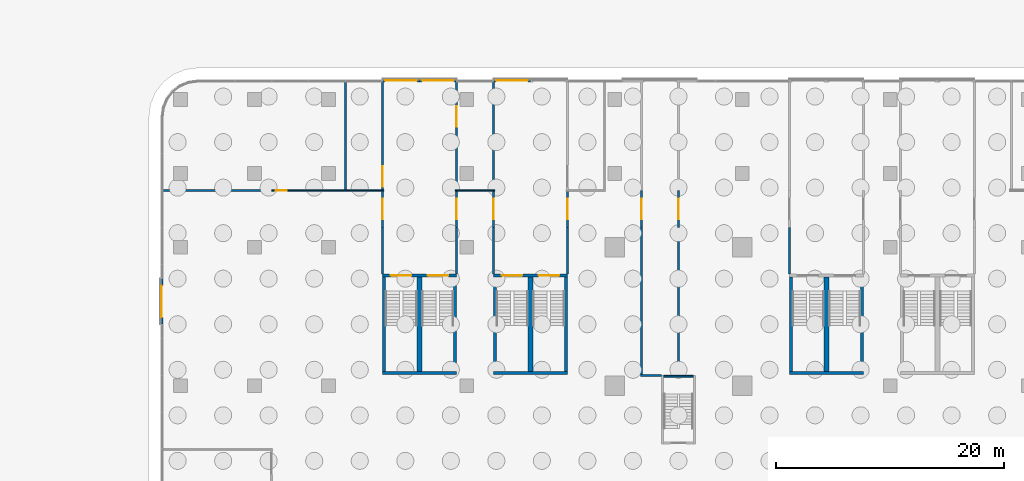
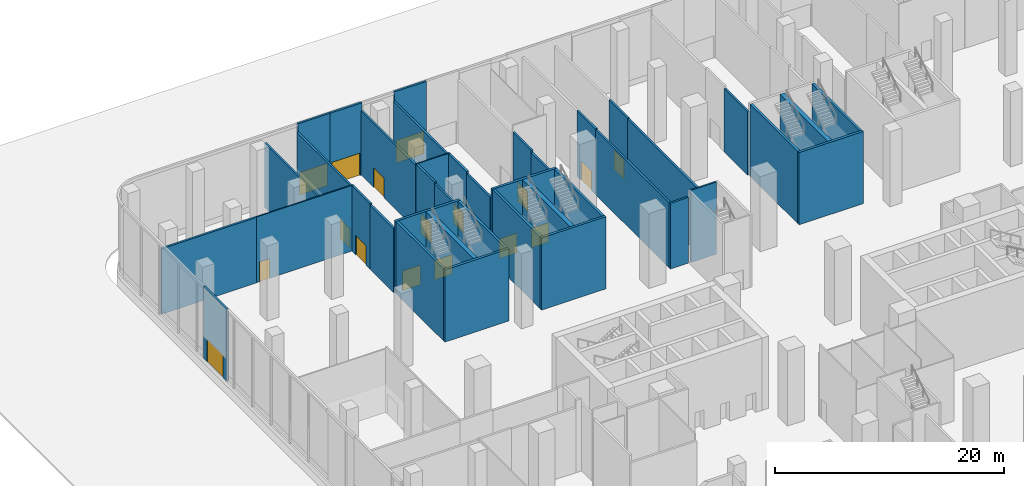
# One storey, part 22 of 27: 40 walls, 17 doors, 17 openings.
"""IFC4 building model written with IfcOpenShell, lengths in metres."""

from ifc_helpers import new_model, si_unit, direction, frame, frame_2d, origin, place, context, subcontext, project, spatial, rectangle, extrude, source, transform, mapped, material, layer, layer_set, type_object, element, fill, save


model = new_model("IFC4")

# Units and contexts
model_context = context("Model", 3, precision=1e-05, world=origin(), true_north=direction((0.0, 1.0)))
body_context = subcontext(model_context, "Body", "Model", "MODEL_VIEW")
ifc_project = project(units=[si_unit("LENGTHUNIT", "METRE"), si_unit("AREAUNIT", "SQUARE_METRE"), si_unit("VOLUMEUNIT", "CUBIC_METRE"), si_unit("PLANEANGLEUNIT", "RADIAN"), si_unit("MASSUNIT", "GRAM", prefix="KILO")], contexts=[model_context])

# Site, building, storey
site_placement = place(None, origin())
site = spatial("IfcSite", under=ifc_project, at=site_placement, CompositionType="ELEMENT")
building_placement = place(site_placement, origin())
building = spatial("IfcBuilding", under=site, at=building_placement, Name="Trellis Farm Tower", CompositionType="ELEMENT")
storey_placement = place(building_placement, origin())
storey = spatial("IfcBuildingStorey", under=building, at=storey_placement, Name="L00", CompositionType="ELEMENT", Elevation=0.0)

# Wall
ifc_material_1 = material(Name="Concrete C80/95", Category="concrete")
ifc_layer_1 = layer(ifc_material_1, 0.14990234375)
ifc_layer_set_1 = layer_set([ifc_layer_1], Name="CORE STAIR ENCLOSURE WALL 150 CONCRETE C80/95")
wall_type_1 = type_object("IfcWallType", Name="CORE STAIR ENCLOSURE WALL 150 CONCRETE C80/95", PredefinedType="SHEAR", material=ifc_layer_set_1)
shared_shape_1 = source(origin(), body_context, "Body", "SweptSolid", [
    extrude(rectangle(XDim=2.60009765625, YDim=0.14990234375, at=frame_2d((1.300048828125, 0.0))), origin(), (0.0, 0.0, 1.0), 7.699951171875),
])
wall_1_placement = place(storey_placement, frame((-1.300048828125, 19.425048828125, 0.0), z_axis=(0.0, 0.0, 1.0), x_axis=(1.0, 0.0, 0.0)))
element("IfcWall", 1, at=wall_1_placement, inside=storey, type_object=wall_type_1, Name="Stair enclosure wall", PredefinedType="SHEAR", context=body_context, shape_type="MappedRepresentation", body=[
    mapped(shared_shape_1, transform((0.0, 0.0, 0.0))),
])

# Wall, openings, doors
ifc_layer_2 = layer(ifc_material_1, 0.25)
ifc_layer_set_2 = layer_set([ifc_layer_2], Name="CORE STAIR ENCLOSURE WALL 250 CONCRETE C80/95")
wall_type_2 = type_object("IfcWallType", Name="CORE STAIR ENCLOSURE WALL 250 CONCRETE C80/95", PredefinedType="SHEAR", material=ifc_layer_set_2)
shared_shape_2 = source(origin(), body_context, "Body", "SweptSolid", [
    extrude(rectangle(XDim=6.5, YDim=0.25, at=frame_2d((3.25, 0.0))), origin(), (0.0, 0.0, 1.0), 7.699951171875),
])
wall_2_placement = place(storey_placement, frame((-26.0, 28.27490234375, 0.0), z_axis=(0.0, 0.0, 1.0), x_axis=(1.0, 0.0, 0.0)))
wall_2 = element("IfcWall", 2, at=wall_2_placement, inside=storey, type_object=wall_type_2, Name="Podium stair enclosure wall", PredefinedType="SHEAR", context=body_context, shape_type="MappedRepresentation", body=[
    mapped(shared_shape_2, transform((0.0, 0.0, 0.0))),
])
shared_shape_3 = source(origin(), body_context, "Body", "SweptSolid", [
    extrude(rectangle(XDim=1.800048828125, YDim=2.10009765625, at=frame_2d((0.89990234375, 1.050048828125))), frame((0.0, 0.135009765625, 0.0), z_axis=(0.0, -1.0, 0.0), x_axis=(1.0, 0.0, 0.0)), (0.0, 0.0, 1.0), 0.27001953125),
])
opening_1_placement = place(wall_2_placement, frame((0.72509765625, 0.0, 0.0)))
opening_1 = element("IfcOpeningElement", 3, at=opening_1_placement, cuts=wall_2, Name="Opening DP1", PredefinedType="OPENING", context=body_context, shape_type="MappedRepresentation", body=[
    mapped(shared_shape_3, transform((0.0, 0.0, 0.0))),
])
opening_2_placement = place(wall_2_placement, frame((3.97509765625, 0.0, 0.0)))
opening_2 = element("IfcOpeningElement", 4, at=opening_2_placement, cuts=wall_2, Name="Opening DP2", PredefinedType="OPENING", context=body_context, shape_type="MappedRepresentation", body=[
    mapped(shared_shape_3, transform((0.0, 0.0, 0.0))),
])
ifc_material_2 = material(Name="Steel", Category="steel")
door_type_1 = type_object("IfcDoorType", Name="CORE FIRE DOOR DOUBLE 1800 X 2100", OperationType="DOUBLE_DOOR_SINGLE_SWING", PredefinedType="DOOR", material=ifc_material_2)
shared_shape_4 = source(origin(), body_context, "Body", "SweptSolid", [
    extrude(rectangle(XDim=1.800048828125, YDim=2.10009765625, at=frame_2d((0.89990234375, 1.050048828125))), frame((0.0, 0.02490234375, 0.0), z_axis=(0.0, -1.0, 0.0), x_axis=(1.0, 0.0, 0.0)), (0.0, 0.0, 1.0), 0.050048828125),
])
door_1_placement = place(opening_1_placement, origin())
door_1 = element("IfcDoor", 5, at=door_1_placement, inside=storey, type_object=door_type_1, Name="Podium stair door", OperationType="DOUBLE_DOOR_SINGLE_SWING", OverallHeight=2.10009765625, OverallWidth=1.800048828125, PredefinedType="DOOR", context=body_context, shape_type="MappedRepresentation", body=[
    mapped(shared_shape_4, transform((0.0, 0.0, 0.0))),
])
fill(opening_1, door_1)
door_2_placement = place(opening_2_placement, origin())
door_2 = element("IfcDoor", 6, at=door_2_placement, inside=storey, type_object=door_type_1, Name="Podium stair door", OperationType="DOUBLE_DOOR_SINGLE_SWING", OverallHeight=2.10009765625, OverallWidth=1.800048828125, PredefinedType="DOOR", context=body_context, shape_type="MappedRepresentation", body=[
    mapped(shared_shape_4, transform((0.0, 0.0, 0.0))),
])
fill(opening_2, door_2)

# Wall
wall_3_placement = place(storey_placement, frame((-26.0, 19.72509765625, 0.0), z_axis=(0.0, 0.0, 1.0), x_axis=(1.0, 0.0, 0.0)))
element("IfcWall", 7, at=wall_3_placement, inside=storey, type_object=wall_type_2, Name="Podium stair enclosure wall", PredefinedType="SHEAR", context=body_context, shape_type="MappedRepresentation", body=[
    mapped(shared_shape_2, transform((0.0, 0.0, 0.0))),
])

# Wall, openings, doors
wall_4_placement = place(storey_placement, frame((-16.25, 28.27490234375, 0.0), z_axis=(0.0, 0.0, 1.0), x_axis=(1.0, 0.0, 0.0)))
wall_4 = element("IfcWall", 8, at=wall_4_placement, inside=storey, type_object=wall_type_2, Name="Podium stair enclosure wall", PredefinedType="SHEAR", context=body_context, shape_type="MappedRepresentation", body=[
    mapped(shared_shape_2, transform((0.0, 0.0, 0.0))),
])
opening_3_placement = place(wall_4_placement, frame((0.72509765625, 0.0, 0.0)))
opening_3 = element("IfcOpeningElement", 9, at=opening_3_placement, cuts=wall_4, Name="Opening DP3", PredefinedType="OPENING", context=body_context, shape_type="MappedRepresentation", body=[
    mapped(shared_shape_3, transform((0.0, 0.0, 0.0))),
])
opening_4_placement = place(wall_4_placement, frame((3.97509765625, 0.0, 0.0)))
opening_4 = element("IfcOpeningElement", 10, at=opening_4_placement, cuts=wall_4, Name="Opening DP4", PredefinedType="OPENING", context=body_context, shape_type="MappedRepresentation", body=[
    mapped(shared_shape_3, transform((0.0, 0.0, 0.0))),
])
door_3_placement = place(opening_3_placement, origin())
door_3 = element("IfcDoor", 11, at=door_3_placement, inside=storey, type_object=door_type_1, Name="Podium stair door", OperationType="DOUBLE_DOOR_SINGLE_SWING", OverallHeight=2.10009765625, OverallWidth=1.800048828125, PredefinedType="DOOR", context=body_context, shape_type="MappedRepresentation", body=[
    mapped(shared_shape_4, transform((0.0, 0.0, 0.0))),
])
fill(opening_3, door_3)
door_4_placement = place(opening_4_placement, origin())
door_4 = element("IfcDoor", 12, at=door_4_placement, inside=storey, type_object=door_type_1, Name="Podium stair door", OperationType="DOUBLE_DOOR_SINGLE_SWING", OverallHeight=2.10009765625, OverallWidth=1.800048828125, PredefinedType="DOOR", context=body_context, shape_type="MappedRepresentation", body=[
    mapped(shared_shape_4, transform((0.0, 0.0, 0.0))),
])
fill(opening_4, door_4)

# Walls
for number, where, z_axis, x_axis, name in (
    (13, (-16.25, 19.72509765625, 0.0), (0.0, 0.0, 1.0), (1.0, 0.0, 0.0), "Podium stair enclosure wall"),
    (14, (9.75, 19.72509765625, 0.0), (0.0, 0.0, 1.0), (1.0, 0.0, 0.0), "Podium stair enclosure wall"),
):
    element("IfcWall", number, at=place(storey_placement, frame(where, z_axis=z_axis, x_axis=x_axis)), inside=storey, type_object=wall_type_2, Name=name, PredefinedType="SHEAR", context=body_context, shape_type="MappedRepresentation", body=[
        mapped(shared_shape_2, transform((0.0, 0.0, 0.0))),
    ])
shared_shape_5 = source(origin(), body_context, "Body", "SweptSolid", [
    extrude(rectangle(XDim=8.2998046875, YDim=0.25, at=frame_2d((4.14990234375, 0.0))), origin(), (0.0, 0.0, 1.0), 7.699951171875),
])
for number, where, z_axis, x_axis, name in (
    (15, (-25.875, 19.85009765625, 0.0), (0.0, 0.0, 1.0), (0.0, 1.0, 0.0), "Podium stair enclosure wall"),
    (16, (-19.625, 19.85009765625, 0.0), (0.0, 0.0, 1.0), (0.0, 1.0, 0.0), "Podium stair enclosure wall"),
    (17, (-16.125, 19.85009765625, 0.0), (0.0, 0.0, 1.0), (0.0, 1.0, 0.0), "Podium stair enclosure wall"),
    (18, (-9.875, 19.85009765625, 0.0), (0.0, 0.0, 1.0), (0.0, 1.0, 0.0), "Podium stair enclosure wall"),
    (19, (9.875, 19.85009765625, 0.0), (0.0, 0.0, 1.0), (0.0, 1.0, 0.0), "Podium stair enclosure wall"),
    (20, (16.125, 19.85009765625, 0.0), (0.0, 0.0, 1.0), (0.0, 1.0, 0.0), "Podium stair enclosure wall"),
):
    element("IfcWall", number, at=place(storey_placement, frame(where, z_axis=z_axis, x_axis=x_axis)), inside=storey, type_object=wall_type_2, Name=name, PredefinedType="SHEAR", context=body_context, shape_type="MappedRepresentation", body=[
        mapped(shared_shape_5, transform((0.0, 0.0, 0.0))),
    ])
ifc_layer_3 = layer(ifc_material_1, 0.43994140625)
ifc_layer_set_3 = layer_set([ifc_layer_3], Name="CORE STAIR ENCLOSURE WALL 440 CONCRETE C80/95")
wall_type_3 = type_object("IfcWallType", Name="CORE STAIR ENCLOSURE WALL 440 CONCRETE C80/95", PredefinedType="SHEAR", material=ifc_layer_set_3)
shared_shape_6 = source(origin(), body_context, "Body", "SweptSolid", [
    extrude(rectangle(XDim=8.2998046875, YDim=0.43994140625, at=frame_2d((4.14990234375, 0.0))), origin(), (0.0, 0.0, 1.0), 7.699951171875),
])
for number, where, z_axis, x_axis, name in (
    (21, (-22.75, 19.85009765625, 0.0), (0.0, 0.0, 1.0), (0.0, 1.0, 0.0), "Podium stair enclosure wall"),
    (22, (-13.0, 19.85009765625, 0.0), (0.0, 0.0, 1.0), (0.0, 1.0, 0.0), "Podium stair enclosure wall"),
    (23, (13.0, 19.85009765625, 0.0), (0.0, 0.0, 1.0), (0.0, 1.0, 0.0), "Podium stair enclosure wall"),
):
    element("IfcWall", number, at=place(storey_placement, frame(where, z_axis=z_axis, x_axis=x_axis)), inside=storey, type_object=wall_type_3, Name=name, PredefinedType="SHEAR", context=body_context, shape_type="MappedRepresentation", body=[
        mapped(shared_shape_6, transform((0.0, 0.0, 0.0))),
    ])

# Wall, opening, door
ifc_material_3 = material(Name="Sandstone faced insulated wall", Category="masonry")
ifc_layer_4 = layer(ifc_material_3, 0.199951171875)
ifc_layer_set_4 = layer_set([ifc_layer_4], Name="EXTERNAL INFILL WALL 200")
wall_type_4 = type_object("IfcWallType", Name="EXTERNAL INFILL WALL 200", PredefinedType="SOLIDWALL", material=ifc_layer_set_4)
shared_shape_7 = source(origin(), body_context, "Body", "SweptSolid", [
    extrude(rectangle(XDim=4.0, YDim=0.199951171875, at=frame_2d((2.0, 0.0))), origin(), (0.0, 0.0, 1.0), 7.699951171875),
])
wall_5_placement = place(storey_placement, frame((-45.39990234375, 24.0, 0.0), z_axis=(0.0, 0.0, 1.0), x_axis=(0.0, 1.0, 0.0)))
wall_5 = element("IfcWall", 24, at=wall_5_placement, inside=storey, type_object=wall_type_4, Name="EW1 13", PredefinedType="SOLIDWALL", context=body_context, shape_type="MappedRepresentation", body=[
    mapped(shared_shape_7, transform((0.0, 0.0, 0.0))),
])
shared_shape_8 = source(origin(), body_context, "Body", "SweptSolid", [
    extrude(rectangle(XDim=2.800048828125, YDim=2.39990234375, at=frame_2d((1.39990234375, 1.199951171875))), frame((0.0, 0.110107421875, 0.0), z_axis=(0.0, -1.0, 0.0), x_axis=(1.0, 0.0, 0.0)), (0.0, 0.0, 1.0), 0.22021484375),
])
opening_5_placement = place(wall_5_placement, frame((0.60009765625, 0.0, 0.0)))
opening_5 = element("IfcOpeningElement", 25, at=opening_5_placement, cuts=wall_5, Name="Opening ED4", PredefinedType="OPENING", context=body_context, shape_type="MappedRepresentation", body=[
    mapped(shared_shape_8, transform((0.0, 0.0, 0.0))),
])
ifc_material_4 = material(Name="Steel framed door", Category="steel")
door_type_2 = type_object("IfcDoorType", Name="EXIT DOOR 2800x2400", OperationType="DOUBLE_DOOR_SINGLE_SWING", PredefinedType="DOOR", material=ifc_material_4)
shared_shape_9 = source(origin(), body_context, "Body", "SweptSolid", [
    extrude(rectangle(XDim=2.800048828125, YDim=2.39990234375, at=frame_2d((1.39990234375, 1.199951171875))), frame((0.0, 0.02490234375, 0.0), z_axis=(0.0, -1.0, 0.0), x_axis=(1.0, 0.0, 0.0)), (0.0, 0.0, 1.0), 0.050048828125),
])
door_5_placement = place(opening_5_placement, origin())
door_5 = element("IfcDoor", 26, at=door_5_placement, inside=storey, type_object=door_type_2, Name="Exit door", OperationType="DOUBLE_DOOR_SINGLE_SWING", OverallHeight=2.39990234375, OverallWidth=2.800048828125, PredefinedType="DOOR", context=body_context, shape_type="MappedRepresentation", body=[
    mapped(shared_shape_9, transform((0.0, 0.0, 0.0))),
])
fill(opening_5, door_5)

shared_shape_10 = source(origin(), body_context, "Body", "SweptSolid", [
    extrude(rectangle(XDim=3.25, YDim=0.199951171875, at=frame_2d((1.625, 0.0))), origin(), (0.0, 0.0, 1.0), 7.699951171875),
])
wall_6_placement = place(storey_placement, frame((-16.25, 45.39990234375, 0.0), z_axis=(0.0, 0.0, 1.0), x_axis=(1.0, 0.0, 0.0)))
wall_6 = element("IfcWall", 27, at=wall_6_placement, inside=storey, type_object=wall_type_4, Name="EW1 10", PredefinedType="SOLIDWALL", context=body_context, shape_type="MappedRepresentation", body=[
    mapped(shared_shape_10, transform((0.0, 0.0, 0.0))),
])
opening_6_placement = place(wall_6_placement, frame((0.22509765625, 0.0, 0.0)))
opening_6 = element("IfcOpeningElement", 28, at=opening_6_placement, cuts=wall_6, Name="Opening ED4", PredefinedType="OPENING", context=body_context, shape_type="MappedRepresentation", body=[
    mapped(shared_shape_8, transform((0.0, 0.0, 0.0))),
])
door_6_placement = place(opening_6_placement, origin())
door_6 = element("IfcDoor", 29, at=door_6_placement, inside=storey, type_object=door_type_2, Name="Exit door", OperationType="DOUBLE_DOOR_SINGLE_SWING", OverallHeight=2.39990234375, OverallWidth=2.800048828125, PredefinedType="DOOR", context=body_context, shape_type="MappedRepresentation", body=[
    mapped(shared_shape_9, transform((0.0, 0.0, 0.0))),
])
fill(opening_6, door_6)

wall_7_placement = place(storey_placement, frame((-22.75, 45.39990234375, 0.0), z_axis=(0.0, 0.0, 1.0), x_axis=(1.0, 0.0, 0.0)))
wall_7 = element("IfcWall", 30, at=wall_7_placement, inside=storey, type_object=wall_type_4, Name="EW1 11", PredefinedType="SOLIDWALL", context=body_context, shape_type="MappedRepresentation", body=[
    mapped(shared_shape_10, transform((0.0, 0.0, 0.0))),
])
opening_7_placement = place(wall_7_placement, frame((0.22509765625, 0.0, 0.0)))
opening_7 = element("IfcOpeningElement", 31, at=opening_7_placement, cuts=wall_7, Name="Opening ED4", PredefinedType="OPENING", context=body_context, shape_type="MappedRepresentation", body=[
    mapped(shared_shape_8, transform((0.0, 0.0, 0.0))),
])
door_7_placement = place(opening_7_placement, origin())
door_7 = element("IfcDoor", 32, at=door_7_placement, inside=storey, type_object=door_type_2, Name="Exit door", OperationType="DOUBLE_DOOR_SINGLE_SWING", OverallHeight=2.39990234375, OverallWidth=2.800048828125, PredefinedType="DOOR", context=body_context, shape_type="MappedRepresentation", body=[
    mapped(shared_shape_9, transform((0.0, 0.0, 0.0))),
])
fill(opening_7, door_7)

wall_8_placement = place(storey_placement, frame((-26.0, 45.39990234375, 0.0), z_axis=(0.0, 0.0, 1.0), x_axis=(1.0, 0.0, 0.0)))
wall_8 = element("IfcWall", 33, at=wall_8_placement, inside=storey, type_object=wall_type_4, Name="EW1 12", PredefinedType="SOLIDWALL", context=body_context, shape_type="MappedRepresentation", body=[
    mapped(shared_shape_10, transform((0.0, 0.0, 0.0))),
])
opening_8_placement = place(wall_8_placement, frame((0.22509765625, 0.0, 0.0)))
opening_8 = element("IfcOpeningElement", 34, at=opening_8_placement, cuts=wall_8, Name="Opening ED4", PredefinedType="OPENING", context=body_context, shape_type="MappedRepresentation", body=[
    mapped(shared_shape_8, transform((0.0, 0.0, 0.0))),
])
door_8_placement = place(opening_8_placement, origin())
door_8 = element("IfcDoor", 35, at=door_8_placement, inside=storey, type_object=door_type_2, Name="Exit door", OperationType="DOUBLE_DOOR_SINGLE_SWING", OverallHeight=2.39990234375, OverallWidth=2.800048828125, PredefinedType="DOOR", context=body_context, shape_type="MappedRepresentation", body=[
    mapped(shared_shape_9, transform((0.0, 0.0, 0.0))),
])
fill(opening_8, door_8)

ifc_material_5 = material(Name="Lightweight blockwork, plastered", Category="masonry")
ifc_layer_5 = layer(ifc_material_5, 0.199951171875)
ifc_layer_set_5 = layer_set([ifc_layer_5], Name="BLOCK WALL 200 EI 120")
wall_type_5 = type_object("IfcWallType", Name="BLOCK WALL 200 EI 120", PredefinedType="PARTITIONING", material=ifc_layer_set_5)
shared_shape_11 = source(origin(), body_context, "Body", "SweptSolid", [
    extrude(rectangle(XDim=3.1875, YDim=0.199951171875, at=frame_2d((1.59375, 0.0))), origin(), (0.0, 0.0, 1.0), 6.99658203125),
])
wall_9_placement = place(storey_placement, frame((-26.0, 32.5, 0.0), z_axis=(0.0, 0.0, 1.0), x_axis=(0.0, 1.0, 0.0)))
wall_9 = element("IfcWall", 36, at=wall_9_placement, inside=storey, type_object=wall_type_5, Name="Partition PW3", PredefinedType="PARTITIONING", context=body_context, shape_type="MappedRepresentation", body=[
    mapped(shared_shape_11, transform((0.0, 0.0, 0.0))),
])
shared_shape_12 = source(origin(), body_context, "Body", "SweptSolid", [
    extrude(rectangle(XDim=1.800048828125, YDim=2.10009765625, at=frame_2d((0.89990234375, 1.050048828125))), frame((0.0, 0.110107421875, 0.0), z_axis=(0.0, -1.0, 0.0), x_axis=(1.0, 0.0, 0.0)), (0.0, 0.0, 1.0), 0.22021484375),
])
opening_9_placement = place(wall_9_placement, frame((0.72509765625, 0.0, 0.0)))
opening_9 = element("IfcOpeningElement", 37, at=opening_9_placement, cuts=wall_9, Name="Opening D422", PredefinedType="OPENING", context=body_context, shape_type="MappedRepresentation", body=[
    mapped(shared_shape_12, transform((0.0, 0.0, 0.0))),
])
ifc_material_6 = material(Name="Fire-rated timber door leaf in a hollow metal frame", Category="wood")
door_type_3 = type_object("IfcDoorType", Name="DOOR PAIR 1800x2100 FD60", OperationType="NOTDEFINED", PredefinedType="DOOR", material=ifc_material_6)
door_9_placement = place(opening_9_placement, origin())
door_9 = element("IfcDoor", 38, at=door_9_placement, inside=storey, type_object=door_type_3, Name="Door D422", OperationType="DOUBLE_DOOR_SINGLE_SWING", OverallHeight=2.10009765625, OverallWidth=1.800048828125, PredefinedType="DOOR", context=body_context, shape_type="MappedRepresentation", body=[
    mapped(shared_shape_4, transform((0.0, 0.0, 0.0))),
])
fill(opening_9, door_9)

wall_10_placement = place(storey_placement, frame((-19.5, 35.6875, 0.0), z_axis=(0.0, 0.0, 1.0), x_axis=(0.0, -1.0, 0.0)))
wall_10 = element("IfcWall", 39, at=wall_10_placement, inside=storey, type_object=wall_type_5, Name="Partition PW3", PredefinedType="PARTITIONING", context=body_context, shape_type="MappedRepresentation", body=[
    mapped(shared_shape_11, transform((0.0, 0.0, 0.0))),
])
opening_10_placement = place(wall_10_placement, frame((0.66259765625, 0.0, 0.0)))
opening_10 = element("IfcOpeningElement", 40, at=opening_10_placement, cuts=wall_10, Name="Opening D423", PredefinedType="OPENING", context=body_context, shape_type="MappedRepresentation", body=[
    mapped(shared_shape_12, transform((0.0, 0.0, 0.0))),
])
door_10_placement = place(opening_10_placement, origin())
door_10 = element("IfcDoor", 41, at=door_10_placement, inside=storey, type_object=door_type_3, Name="Door D423", OperationType="DOUBLE_DOOR_SINGLE_SWING", OverallHeight=2.10009765625, OverallWidth=1.800048828125, PredefinedType="DOOR", context=body_context, shape_type="MappedRepresentation", body=[
    mapped(shared_shape_4, transform((0.0, 0.0, 0.0))),
])
fill(opening_10, door_10)

wall_11_placement = place(storey_placement, frame((-16.25, 32.5, 0.0), z_axis=(0.0, 0.0, 1.0), x_axis=(0.0, 1.0, 0.0)))
wall_11 = element("IfcWall", 42, at=wall_11_placement, inside=storey, type_object=wall_type_5, Name="Partition PW3", PredefinedType="PARTITIONING", context=body_context, shape_type="MappedRepresentation", body=[
    mapped(shared_shape_11, transform((0.0, 0.0, 0.0))),
])
opening_11_placement = place(wall_11_placement, frame((0.72509765625, 0.0, 0.0)))
opening_11 = element("IfcOpeningElement", 43, at=opening_11_placement, cuts=wall_11, Name="Opening D424", PredefinedType="OPENING", context=body_context, shape_type="MappedRepresentation", body=[
    mapped(shared_shape_12, transform((0.0, 0.0, 0.0))),
])
door_11_placement = place(opening_11_placement, origin())
door_11 = element("IfcDoor", 44, at=door_11_placement, inside=storey, type_object=door_type_3, Name="Door D424", OperationType="DOUBLE_DOOR_SINGLE_SWING", OverallHeight=2.10009765625, OverallWidth=1.800048828125, PredefinedType="DOOR", context=body_context, shape_type="MappedRepresentation", body=[
    mapped(shared_shape_4, transform((0.0, 0.0, 0.0))),
])
fill(opening_11, door_11)

wall_12_placement = place(storey_placement, frame((-9.75, 35.6875, 0.0), z_axis=(0.0, 0.0, 1.0), x_axis=(0.0, -1.0, 0.0)))
wall_12 = element("IfcWall", 45, at=wall_12_placement, inside=storey, type_object=wall_type_5, Name="Partition PW3", PredefinedType="PARTITIONING", context=body_context, shape_type="MappedRepresentation", body=[
    mapped(shared_shape_11, transform((0.0, 0.0, 0.0))),
])
opening_12_placement = place(wall_12_placement, frame((0.66259765625, 0.0, 0.0)))
opening_12 = element("IfcOpeningElement", 46, at=opening_12_placement, cuts=wall_12, Name="Opening D425", PredefinedType="OPENING", context=body_context, shape_type="MappedRepresentation", body=[
    mapped(shared_shape_12, transform((0.0, 0.0, 0.0))),
])
door_12_placement = place(opening_12_placement, origin())
door_12 = element("IfcDoor", 47, at=door_12_placement, inside=storey, type_object=door_type_3, Name="Door D425", OperationType="DOUBLE_DOOR_SINGLE_SWING", OverallHeight=2.10009765625, OverallWidth=1.800048828125, PredefinedType="DOOR", context=body_context, shape_type="MappedRepresentation", body=[
    mapped(shared_shape_4, transform((0.0, 0.0, 0.0))),
])
fill(opening_12, door_12)

# Walls
shared_shape_13 = source(origin(), body_context, "Body", "SweptSolid", [
    extrude(rectangle(XDim=4.10009765625, YDim=0.199951171875, at=frame_2d((2.050048828125, 0.0))), origin(), (0.0, 0.0, 1.0), 6.83935546875),
])
for number, where, z_axis, x_axis, name in (
    (48, (-26.0, 32.5, 0.0), (0.0, 0.0, 1.0), (0.0, -1.0, 0.0), "Partition PW3"),
    (49, (-19.5, 32.5, 0.0), (0.0, 0.0, 1.0), (0.0, -1.0, 0.0), "Partition PW3"),
):
    element("IfcWall", number, at=place(storey_placement, frame(where, z_axis=z_axis, x_axis=x_axis)), inside=storey, type_object=wall_type_5, Name=name, PredefinedType="PARTITIONING", context=body_context, shape_type="MappedRepresentation", body=[
        mapped(shared_shape_13, transform((0.0, 0.0, 0.0))),
    ])
shared_shape_14 = source(origin(), body_context, "Body", "SweptSolid", [
    extrude(rectangle(XDim=9.487548828125, YDim=0.199951171875, at=frame_2d((4.74365234375, 0.0))), origin(), (0.0, 0.0, 1.0), 6.83935546875),
])
wall_13_placement = place(storey_placement, frame((-29.25, 35.8125, 0.0), z_axis=(0.0, 0.0, 1.0), x_axis=(0.0, 1.0, 0.0)))
element("IfcWall", 50, at=wall_13_placement, inside=storey, type_object=wall_type_5, Name="Partition PW3", PredefinedType="PARTITIONING", context=body_context, shape_type="MappedRepresentation", body=[
    mapped(shared_shape_14, transform((0.0, 0.0, 0.0))),
])

# Wall, opening, door
wall_14_placement = place(storey_placement, frame((-26.0, 35.8125, 0.0), z_axis=(0.0, 0.0, 1.0), x_axis=(0.0, 1.0, 0.0)))
wall_14 = element("IfcWall", 51, at=wall_14_placement, inside=storey, type_object=wall_type_5, Name="Partition PW3", PredefinedType="PARTITIONING", context=body_context, shape_type="MappedRepresentation", body=[
    mapped(shared_shape_14, transform((0.0, 0.0, 0.0))),
])
opening_13_placement = place(wall_14_placement, frame((0.28759765625, 0.0, 0.0)))
opening_13 = element("IfcOpeningElement", 52, at=opening_13_placement, cuts=wall_14, Name="Opening D205", PredefinedType="OPENING", context=body_context, shape_type="MappedRepresentation", body=[
    mapped(shared_shape_12, transform((0.0, 0.0, 0.0))),
])
door_type_4 = type_object("IfcDoorType", Name="DOOR PAIR 1800x2100 FD30S", OperationType="NOTDEFINED", PredefinedType="DOOR", material=ifc_material_6)
door_13_placement = place(opening_13_placement, origin())
door_13 = element("IfcDoor", 53, at=door_13_placement, inside=storey, type_object=door_type_4, Name="Door D205", OperationType="DOUBLE_DOOR_SINGLE_SWING", OverallHeight=2.10009765625, OverallWidth=1.800048828125, PredefinedType="DOOR", context=body_context, shape_type="MappedRepresentation", body=[
    mapped(shared_shape_4, transform((0.0, 0.0, 0.0))),
])
fill(opening_13, door_13)

wall_15_placement = place(storey_placement, frame((-19.5, 45.300048828125, 0.0), z_axis=(0.0, 0.0, 1.0), x_axis=(0.0, -1.0, 0.0)))
wall_15 = element("IfcWall", 54, at=wall_15_placement, inside=storey, type_object=wall_type_5, Name="Partition PW3", PredefinedType="PARTITIONING", context=body_context, shape_type="MappedRepresentation", body=[
    mapped(shared_shape_14, transform((0.0, 0.0, 0.0))),
])
opening_14_placement = place(wall_15_placement, frame((2.14990234375, 0.0, 0.0)))
opening_14 = element("IfcOpeningElement", 55, at=opening_14_placement, cuts=wall_15, Name="Opening D207", PredefinedType="OPENING", context=body_context, shape_type="MappedRepresentation", body=[
    mapped(shared_shape_12, transform((0.0, 0.0, 0.0))),
])
door_14_placement = place(opening_14_placement, origin())
door_14 = element("IfcDoor", 56, at=door_14_placement, inside=storey, type_object=door_type_4, Name="Door D207", OperationType="DOUBLE_DOOR_SINGLE_SWING", OverallHeight=2.10009765625, OverallWidth=1.800048828125, PredefinedType="DOOR", context=body_context, shape_type="MappedRepresentation", body=[
    mapped(shared_shape_4, transform((0.0, 0.0, 0.0))),
])
fill(opening_14, door_14)

# Walls
shared_shape_15 = source(origin(), body_context, "Body", "SweptSolid", [
    extrude(rectangle(XDim=4.10009765625, YDim=0.199951171875, at=frame_2d((2.050048828125, 0.0))), origin(), (0.0, 0.0, 1.0), 6.76171875),
])
for number, where, z_axis, x_axis, name in (
    (57, (-16.25, 28.39990234375, 0.0), (0.0, 0.0, 1.0), (0.0, 1.0, 0.0), "Partition PW3"),
    (58, (-9.75, 28.39990234375, 0.0), (0.0, 0.0, 1.0), (0.0, 1.0, 0.0), "Partition PW3"),
    (59, (9.75, 28.39990234375, 0.0), (0.0, 0.0, 1.0), (0.0, 1.0, 0.0), "Partition PW3"),
):
    element("IfcWall", number, at=place(storey_placement, frame(where, z_axis=z_axis, x_axis=x_axis)), inside=storey, type_object=wall_type_5, Name=name, PredefinedType="PARTITIONING", context=body_context, shape_type="MappedRepresentation", body=[
        mapped(shared_shape_15, transform((0.0, 0.0, 0.0))),
    ])
shared_shape_16 = source(origin(), body_context, "Body", "SweptSolid", [
    extrude(rectangle(XDim=9.487548828125, YDim=0.199951171875, at=frame_2d((4.74365234375, 0.0))), origin(), (0.0, 0.0, 1.0), 6.76171875),
])
wall_16_placement = place(storey_placement, frame((-16.25, 35.8125, 0.0), z_axis=(0.0, 0.0, 1.0), x_axis=(0.0, 1.0, 0.0)))
element("IfcWall", 60, at=wall_16_placement, inside=storey, type_object=wall_type_5, Name="Partition PW3", PredefinedType="PARTITIONING", context=body_context, shape_type="MappedRepresentation", body=[
    mapped(shared_shape_16, transform((0.0, 0.0, 0.0))),
])
shared_shape_17 = source(origin(), body_context, "Body", "SweptSolid", [
    extrude(rectangle(XDim=12.89990234375, YDim=0.199951171875, at=frame_2d((6.449951171875, 0.0))), origin(), (0.0, 0.0, 1.0), 6.917724609375),
])
wall_17_placement = place(storey_placement, frame((-3.25, 19.60009765625, 0.0), z_axis=(0.0, 0.0, 1.0), x_axis=(0.0, 1.0, 0.0)))
element("IfcWall", 61, at=wall_17_placement, inside=storey, type_object=wall_type_5, Name="Partition PW3", PredefinedType="PARTITIONING", context=body_context, shape_type="MappedRepresentation", body=[
    mapped(shared_shape_17, transform((0.0, 0.0, 0.0))),
])

# Wall, opening, door
shared_shape_18 = source(origin(), body_context, "Body", "SweptSolid", [
    extrude(rectangle(XDim=3.25, YDim=0.199951171875, at=frame_2d((1.625, 0.0))), origin(), (0.0, 0.0, 1.0), 6.99658203125),
])
wall_18_placement = place(storey_placement, frame((-3.25, 32.5, 0.0), z_axis=(0.0, 0.0, 1.0), x_axis=(0.0, 1.0, 0.0)))
wall_18 = element("IfcWall", 62, at=wall_18_placement, inside=storey, type_object=wall_type_5, Name="Partition PW3", PredefinedType="PARTITIONING", context=body_context, shape_type="MappedRepresentation", body=[
    mapped(shared_shape_18, transform((0.0, 0.0, 0.0))),
])
opening_15_placement = place(wall_18_placement, frame((0.72509765625, 0.0, 0.0)))
opening_15 = element("IfcOpeningElement", 63, at=opening_15_placement, cuts=wall_18, Name="Opening D426", PredefinedType="OPENING", context=body_context, shape_type="MappedRepresentation", body=[
    mapped(shared_shape_12, transform((0.0, 0.0, 0.0))),
])
door_15_placement = place(opening_15_placement, origin())
door_15 = element("IfcDoor", 64, at=door_15_placement, inside=storey, type_object=door_type_3, Name="Door D426", OperationType="DOUBLE_DOOR_SINGLE_SWING", OverallHeight=2.10009765625, OverallWidth=1.800048828125, PredefinedType="DOOR", context=body_context, shape_type="MappedRepresentation", body=[
    mapped(shared_shape_4, transform((0.0, 0.0, 0.0))),
])
fill(opening_15, door_15)

wall_19_placement = place(storey_placement, frame((0.0, 35.75, 0.0), z_axis=(0.0, 0.0, 1.0), x_axis=(0.0, -1.0, 0.0)))
wall_19 = element("IfcWall", 65, at=wall_19_placement, inside=storey, type_object=wall_type_5, Name="Partition PW3", PredefinedType="PARTITIONING", context=body_context, shape_type="MappedRepresentation", body=[
    mapped(shared_shape_18, transform((0.0, 0.0, 0.0))),
])
opening_16_placement = place(wall_19_placement, frame((0.72509765625, 0.0, 0.0)))
opening_16 = element("IfcOpeningElement", 66, at=opening_16_placement, cuts=wall_19, Name="Opening D427", PredefinedType="OPENING", context=body_context, shape_type="MappedRepresentation", body=[
    mapped(shared_shape_12, transform((0.0, 0.0, 0.0))),
])
door_16_placement = place(opening_16_placement, origin())
door_16 = element("IfcDoor", 67, at=door_16_placement, inside=storey, type_object=door_type_3, Name="Door D427", OperationType="DOUBLE_DOOR_SINGLE_SWING", OverallHeight=2.10009765625, OverallWidth=1.800048828125, PredefinedType="DOOR", context=body_context, shape_type="MappedRepresentation", body=[
    mapped(shared_shape_4, transform((0.0, 0.0, 0.0))),
])
fill(opening_16, door_16)

# Walls
shared_shape_19 = source(origin(), body_context, "Body", "SweptSolid", [
    extrude(rectangle(XDim=13.0, YDim=0.199951171875, at=frame_2d((6.5, 0.0))), origin(), (0.0, 0.0, 1.0), 6.917724609375),
])
wall_20_placement = place(storey_placement, frame((0.0, 19.5, 0.0), z_axis=(0.0, 0.0, 1.0), x_axis=(0.0, 1.0, 0.0)))
element("IfcWall", 68, at=wall_20_placement, inside=storey, type_object=wall_type_5, Name="Partition PW3", PredefinedType="PARTITIONING", context=body_context, shape_type="MappedRepresentation", body=[
    mapped(shared_shape_19, transform((0.0, 0.0, 0.0))),
])
ifc_material_7 = material(Name="Plasterboard on steel studs, mineral wool", Category="steel")
ifc_layer_6 = layer(ifc_material_7, 0.125)
ifc_layer_set_6 = layer_set([ifc_layer_6], Name="PARTITION 125 STUD EI 60")
wall_type_6 = type_object("IfcWallType", Name="PARTITION 125 STUD EI 60", PredefinedType="PARTITIONING", material=ifc_layer_set_6)
shared_shape_20 = source(origin(), body_context, "Body", "SweptSolid", [
    extrude(rectangle(XDim=3.4501953125, YDim=0.125, at=frame_2d((1.72509765625, 0.0))), origin(), (0.0, 0.0, 1.0), 6.99658203125),
])
wall_21_placement = place(storey_placement, frame((-19.60009765625, 35.75, 0.0), z_axis=(0.0, 0.0, 1.0), x_axis=(1.0, 0.0, 0.0)))
element("IfcWall", 69, at=wall_21_placement, inside=storey, type_object=wall_type_6, Name="Partition PW1", PredefinedType="PARTITIONING", context=body_context, shape_type="MappedRepresentation", body=[
    mapped(shared_shape_20, transform((0.0, 0.0, 0.0))),
])

# Wall, opening, door
shared_shape_21 = source(origin(), body_context, "Body", "SweptSolid", [
    extrude(rectangle(XDim=9.85009765625, YDim=0.125, at=frame_2d((4.925048828125, 0.0))), origin(), (0.0, 0.0, 1.0), 6.99658203125),
])
wall_22_placement = place(storey_placement, frame((-35.75, 35.75, 0.0), z_axis=(0.0, 0.0, 1.0), x_axis=(1.0, 0.0, 0.0)))
wall_22 = element("IfcWall", 70, at=wall_22_placement, inside=storey, type_object=wall_type_6, Name="Partition PW1", PredefinedType="PARTITIONING", context=body_context, shape_type="MappedRepresentation", body=[
    mapped(shared_shape_21, transform((0.0, 0.0, 0.0))),
])
shared_shape_22 = source(origin(), body_context, "Body", "SweptSolid", [
    extrude(rectangle(XDim=1.0, YDim=2.10009765625, at=frame_2d((0.5, 1.050048828125))), frame((0.0, 0.072509765625, 0.0), z_axis=(0.0, -1.0, 0.0), x_axis=(1.0, 0.0, 0.0)), (0.0, 0.0, 1.0), 0.14501953125),
])
opening_17_placement = place(wall_22_placement, frame((0.35009765625, 0.0, 0.0)))
opening_17 = element("IfcOpeningElement", 71, at=opening_17_placement, cuts=wall_22, Name="Opening D311", PredefinedType="OPENING", context=body_context, shape_type="MappedRepresentation", body=[
    mapped(shared_shape_22, transform((0.0, 0.0, 0.0))),
])
door_type_5 = type_object("IfcDoorType", Name="DOOR 1000x2100 FD60", OperationType="NOTDEFINED", PredefinedType="DOOR", material=ifc_material_6)
shared_shape_23 = source(origin(), body_context, "Body", "SweptSolid", [
    extrude(rectangle(XDim=1.0, YDim=2.10009765625, at=frame_2d((0.5, 1.050048828125))), frame((0.0, 0.02490234375, 0.0), z_axis=(0.0, -1.0, 0.0), x_axis=(1.0, 0.0, 0.0)), (0.0, 0.0, 1.0), 0.050048828125),
])
door_17_placement = place(opening_17_placement, origin())
door_17 = element("IfcDoor", 72, at=door_17_placement, inside=storey, type_object=door_type_5, Name="Door D311", OperationType="SINGLE_SWING_LEFT", OverallHeight=2.10009765625, OverallWidth=1.0, PredefinedType="DOOR", context=body_context, shape_type="MappedRepresentation", body=[
    mapped(shared_shape_23, transform((0.0, 0.0, 0.0))),
])
fill(opening_17, door_17)

# Walls
shared_shape_24 = source(origin(), body_context, "Body", "SweptSolid", [
    extrude(rectangle(XDim=1.85009765625, YDim=0.199951171875, at=frame_2d((0.925048828125, 0.0))), origin(), (0.0, 0.0, 1.0), 6.99658203125),
])
wall_23_placement = place(storey_placement, frame((-1.5, 19.5, 0.0), z_axis=(0.0, 0.0, 1.0), x_axis=(-1.0, 0.0, 0.0)))
element("IfcWall", 73, at=wall_23_placement, inside=storey, type_object=wall_type_5, Name="Partition PW3", PredefinedType="PARTITIONING", context=body_context, shape_type="MappedRepresentation", body=[
    mapped(shared_shape_24, transform((0.0, 0.0, 0.0))),
])
shared_shape_25 = source(origin(), body_context, "Body", "SweptSolid", [
    extrude(rectangle(XDim=9.550048828125, YDim=0.199951171875, at=frame_2d((4.77490234375, 0.0))), origin(), (0.0, 0.0, 1.0), 6.99658203125),
])
wall_24_placement = place(storey_placement, frame((-45.300048828125, 35.75, 0.0), z_axis=(0.0, 0.0, 1.0), x_axis=(1.0, 0.0, 0.0)))
element("IfcWall", 74, at=wall_24_placement, inside=storey, type_object=wall_type_5, Name="Partition PW3", PredefinedType="PARTITIONING", context=body_context, shape_type="MappedRepresentation", body=[
    mapped(shared_shape_25, transform((0.0, 0.0, 0.0))),
])

save(model, "model.ifc")
